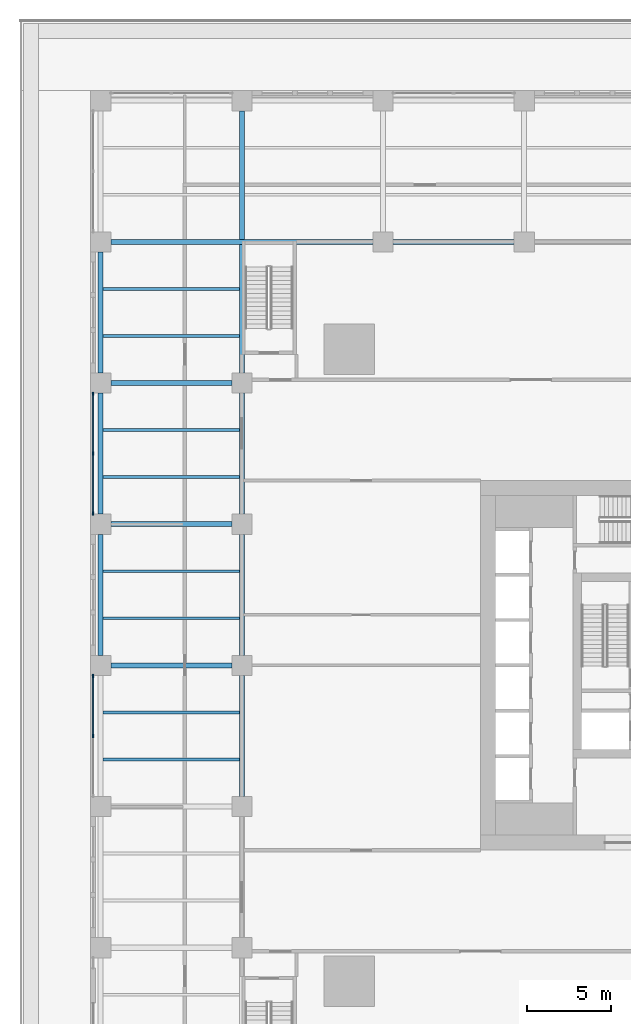
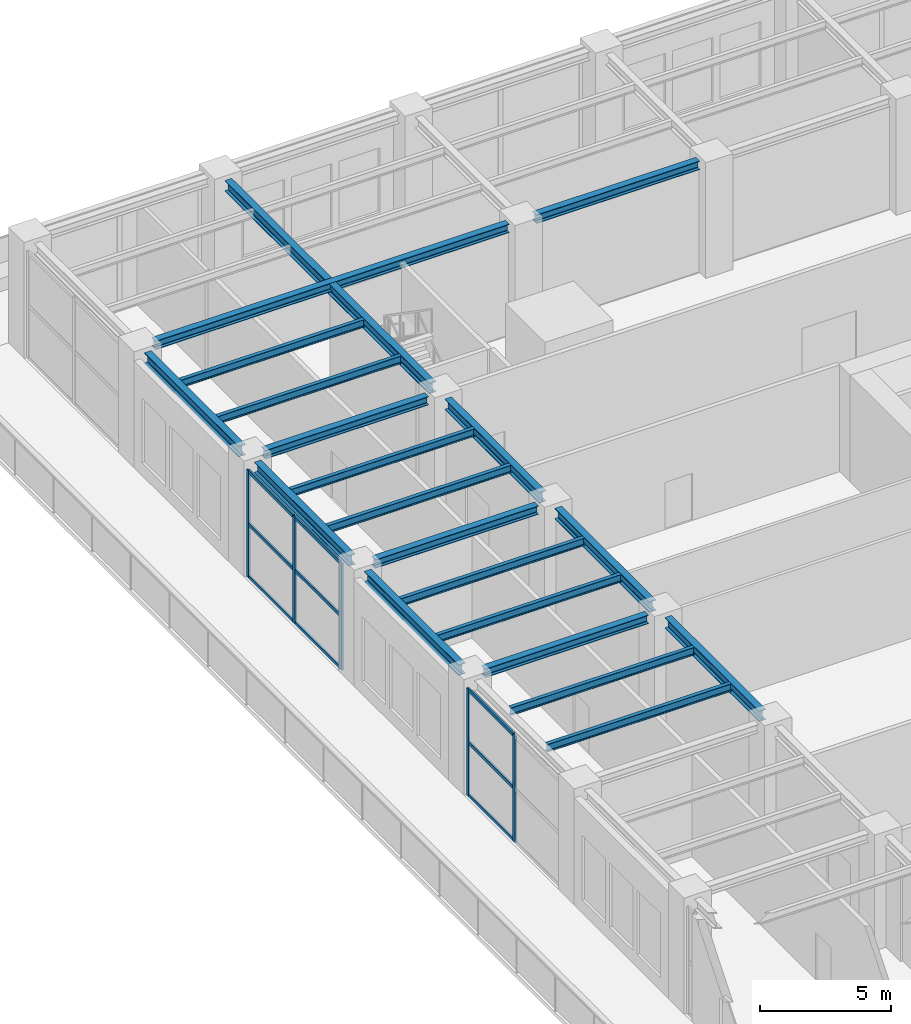
# One storey, part 5 of 36: 20 beams, 14 members, 2 elements without a shape of their own.
"""IFC4 building model written with IfcOpenShell, lengths in metres."""

from ifc_helpers import new_model, si_unit, direction, frame, origin, origin_2d, place, context, subcontext, project, spatial, rectangle, i_section, extrude, material, material_profile, profile_set, type_object, element, aggregate, save


model = new_model("IFC4")

# Units and contexts
model_context = context("Model", 3, precision=1e-05, world=origin(), true_north=direction((0.0, 1.0)))
body_context = subcontext(model_context, "Body", "Model", "MODEL_VIEW")
ifc_project = project(units=[si_unit("LENGTHUNIT", "METRE"), si_unit("AREAUNIT", "SQUARE_METRE"), si_unit("VOLUMEUNIT", "CUBIC_METRE"), si_unit("PLANEANGLEUNIT", "RADIAN"), si_unit("MASSUNIT", "GRAM", prefix="KILO")], contexts=[model_context])

# Site, building, storey
site_placement = place(None, origin())
site = spatial("IfcSite", under=ifc_project, at=site_placement, CompositionType="ELEMENT")
building_placement = place(site_placement, origin())
building = spatial("IfcBuilding", under=site, at=building_placement, Name="Khepri Terraces", CompositionType="ELEMENT")
storey_placement = place(building_placement, frame((0.0, 0.0, 16.800048828125)))
storey = spatial("IfcBuildingStorey", under=building, at=storey_placement, Name="L03", CompositionType="ELEMENT", Elevation=16.800048828125)

# Curtain wall, members
ifc_material_1 = material(Name="Anodised aluminium bronze curtain wall", Category="aluminium")
curtain_wall_type = type_object("IfcCurtainWallType", Name="CW-SYS5-BALLROOM", PredefinedType="NOTDEFINED", material=ifc_material_1)
curtain_wall_1_placement = place(storey_placement, origin())
curtain_wall_1 = element("IfcCurtainWall", 1, at=curtain_wall_1_placement, inside=storey, type_object=curtain_wall_type, Name="Curtain wall CW5 L03 W", PredefinedType="NOTDEFINED")
ifc_material_2 = material(Name="Anodised aluminium bronze", Category="aluminium")
ifc_material_profile_1 = material_profile(ifc_material_2, rectangle(XDim=0.080078125, YDim=0.199951171875, at=origin_2d()), Name="Anodised aluminium bronze", Category="aluminium")
ifc_profile_set_1 = profile_set([ifc_material_profile_1], Name="Anodised aluminium bronze")
member_type_1 = type_object("IfcMemberType", Name="CW-MULLION-80x200", PredefinedType="MULLION", material=ifc_profile_set_1)
member_1_placement = place(storey_placement, frame((-34.050048828125, 16.159912109375, 0.0), z_axis=(0.0, 0.0, 1.0), x_axis=(1.0, 0.0, 0.0)))
member_1 = element("IfcMember", 2, at=member_1_placement, type_object=member_type_1, Name="CW5 mullion 1", PredefinedType="MULLION", context=body_context, shape_type="SweptSolid", body=[
    extrude(rectangle(XDim=0.080078125, YDim=0.199951171875, at=origin_2d()), origin(), (0.0, 0.0, 1.0), 4.97998046875),
])
member_2_placement = place(storey_placement, frame((-34.050048828125, 12.60009765625, 0.0), z_axis=(0.0, 0.0, 1.0), x_axis=(1.0, 0.0, 0.0)))
member_2 = element("IfcMember", 3, at=member_2_placement, type_object=member_type_1, Name="CW5 mullion 2", PredefinedType="MULLION", context=body_context, shape_type="SweptSolid", body=[
    extrude(rectangle(XDim=0.080078125, YDim=0.199951171875, at=origin_2d()), origin(), (0.0, 0.0, 1.0), 4.97998046875),
])
member_3_placement = place(storey_placement, frame((-34.050048828125, 9.0400390625, 0.0), z_axis=(0.0, 0.0, 1.0), x_axis=(1.0, 0.0, 0.0)))
member_3 = element("IfcMember", 4, at=member_3_placement, type_object=member_type_1, Name="CW5 mullion 3", PredefinedType="MULLION", context=body_context, shape_type="SweptSolid", body=[
    extrude(rectangle(XDim=0.080078125, YDim=0.199951171875, at=origin_2d()), origin(), (0.0, 0.0, 1.0), 4.97998046875),
])

curtain_wall_2_placement = place(storey_placement, origin())
curtain_wall_2 = element("IfcCurtainWall", 5, at=curtain_wall_2_placement, inside=storey, type_object=curtain_wall_type, Name="Curtain wall CW5 L03 W", PredefinedType="NOTDEFINED")
member_4_placement = place(storey_placement, frame((-34.050048828125, -0.639892578125, 0.0), z_axis=(0.0, 0.0, 1.0), x_axis=(1.0, 0.0, 0.0)))
member_4 = element("IfcMember", 6, at=member_4_placement, type_object=member_type_1, Name="CW5 mullion 1", PredefinedType="MULLION", context=body_context, shape_type="SweptSolid", body=[
    extrude(rectangle(XDim=0.080078125, YDim=0.199951171875, at=origin_2d()), origin(), (0.0, 0.0, 1.0), 4.97998046875),
])
member_5_placement = place(storey_placement, frame((-34.050048828125, -4.199951171875, 0.0), z_axis=(0.0, 0.0, 1.0), x_axis=(1.0, 0.0, 0.0)))
member_5 = element("IfcMember", 7, at=member_5_placement, type_object=member_type_1, Name="CW5 mullion 2", PredefinedType="MULLION", context=body_context, shape_type="SweptSolid", body=[
    extrude(rectangle(XDim=0.080078125, YDim=0.199951171875, at=origin_2d()), origin(), (0.0, 0.0, 1.0), 4.97998046875),
])

# Member
ifc_material_profile_2 = material_profile(ifc_material_2, rectangle(XDim=0.080078125, YDim=0.159912109375, at=origin_2d()), Name="Anodised aluminium bronze", Category="aluminium")
ifc_profile_set_2 = profile_set([ifc_material_profile_2], Name="Anodised aluminium bronze")
member_type_2 = type_object("IfcMemberType", Name="CW-TRANSOM-80x160", PredefinedType="USERDEFINED", material=ifc_profile_set_2)
member_6_placement = place(storey_placement, frame((-34.050048828125, 16.1201171875, 0.0400390625), z_axis=(0.0, -1.0, 0.0), x_axis=(1.0, 0.0, 0.0)))
member_6 = element("IfcMember", 8, at=member_6_placement, type_object=member_type_2, Name="CW5 transom 1.1", ObjectType="TRANSOM", PredefinedType="USERDEFINED", context=body_context, shape_type="SweptSolid", body=[
    extrude(rectangle(XDim=0.080078125, YDim=0.159912109375, at=origin_2d()), origin(), (0.0, 0.0, 1.0), 3.480224609375),
])

member_7_placement = place(storey_placement, frame((-34.050048828125, 16.1201171875, 2.489990234375), z_axis=(0.0, -1.0, 0.0), x_axis=(1.0, 0.0, 0.0)))
member_7 = element("IfcMember", 9, at=member_7_placement, type_object=member_type_2, Name="CW5 transom 1.2", ObjectType="TRANSOM", PredefinedType="USERDEFINED", context=body_context, shape_type="SweptSolid", body=[
    extrude(rectangle(XDim=0.080078125, YDim=0.159912109375, at=origin_2d()), origin(), (0.0, 0.0, 1.0), 3.480224609375),
])

member_8_placement = place(storey_placement, frame((-34.050048828125, 16.1201171875, 4.93994140625), z_axis=(0.0, -1.0, 0.0), x_axis=(1.0, 0.0, 0.0)))
member_8 = element("IfcMember", 10, at=member_8_placement, type_object=member_type_2, Name="CW5 transom 1.3", ObjectType="TRANSOM", PredefinedType="USERDEFINED", context=body_context, shape_type="SweptSolid", body=[
    extrude(rectangle(XDim=0.080078125, YDim=0.159912109375, at=origin_2d()), origin(), (0.0, 0.0, 1.0), 3.480224609375),
])

member_9_placement = place(storey_placement, frame((-34.050048828125, 12.56005859375, 0.0400390625), z_axis=(0.0, -1.0, 0.0), x_axis=(1.0, 0.0, 0.0)))
member_9 = element("IfcMember", 11, at=member_9_placement, type_object=member_type_2, Name="CW5 transom 2.1", ObjectType="TRANSOM", PredefinedType="USERDEFINED", context=body_context, shape_type="SweptSolid", body=[
    extrude(rectangle(XDim=0.080078125, YDim=0.159912109375, at=origin_2d()), origin(), (0.0, 0.0, 1.0), 3.47998046875),
])

member_10_placement = place(storey_placement, frame((-34.050048828125, 12.56005859375, 2.489990234375), z_axis=(0.0, -1.0, 0.0), x_axis=(1.0, 0.0, 0.0)))
member_10 = element("IfcMember", 12, at=member_10_placement, type_object=member_type_2, Name="CW5 transom 2.2", ObjectType="TRANSOM", PredefinedType="USERDEFINED", context=body_context, shape_type="SweptSolid", body=[
    extrude(rectangle(XDim=0.080078125, YDim=0.159912109375, at=origin_2d()), origin(), (0.0, 0.0, 1.0), 3.47998046875),
])

member_11_placement = place(storey_placement, frame((-34.050048828125, 12.56005859375, 4.93994140625), z_axis=(0.0, -1.0, 0.0), x_axis=(1.0, 0.0, 0.0)))
member_11 = element("IfcMember", 13, at=member_11_placement, type_object=member_type_2, Name="CW5 transom 2.3", ObjectType="TRANSOM", PredefinedType="USERDEFINED", context=body_context, shape_type="SweptSolid", body=[
    extrude(rectangle(XDim=0.080078125, YDim=0.159912109375, at=origin_2d()), origin(), (0.0, 0.0, 1.0), 3.47998046875),
])

aggregate(curtain_wall_1, [member_1, member_2, member_3, member_6, member_7, member_8, member_9, member_10, member_11])

member_12_placement = place(storey_placement, frame((-34.050048828125, -0.679931640625, 0.0400390625), z_axis=(0.0, -1.0, 0.0), x_axis=(1.0, 0.0, 0.0)))
member_12 = element("IfcMember", 14, at=member_12_placement, type_object=member_type_2, Name="CW5 transom 1.1", ObjectType="TRANSOM", PredefinedType="USERDEFINED", context=body_context, shape_type="SweptSolid", body=[
    extrude(rectangle(XDim=0.080078125, YDim=0.159912109375, at=origin_2d()), origin(), (0.0, 0.0, 1.0), 3.47998046875),
])

member_13_placement = place(storey_placement, frame((-34.050048828125, -0.679931640625, 2.489990234375), z_axis=(0.0, -1.0, 0.0), x_axis=(1.0, 0.0, 0.0)))
member_13 = element("IfcMember", 15, at=member_13_placement, type_object=member_type_2, Name="CW5 transom 1.2", ObjectType="TRANSOM", PredefinedType="USERDEFINED", context=body_context, shape_type="SweptSolid", body=[
    extrude(rectangle(XDim=0.080078125, YDim=0.159912109375, at=origin_2d()), origin(), (0.0, 0.0, 1.0), 3.47998046875),
])

member_14_placement = place(storey_placement, frame((-34.050048828125, -0.679931640625, 4.93994140625), z_axis=(0.0, -1.0, 0.0), x_axis=(1.0, 0.0, 0.0)))
member_14 = element("IfcMember", 16, at=member_14_placement, type_object=member_type_2, Name="CW5 transom 1.3", ObjectType="TRANSOM", PredefinedType="USERDEFINED", context=body_context, shape_type="SweptSolid", body=[
    extrude(rectangle(XDim=0.080078125, YDim=0.159912109375, at=origin_2d()), origin(), (0.0, 0.0, 1.0), 3.47998046875),
])

aggregate(curtain_wall_2, [member_4, member_5, member_12, member_13, member_14])

# Beams
ifc_material_3 = material(Name="Steel S355", Category="steel")
ifc_material_profile_3 = material_profile(ifc_material_3, i_section(OverallWidth=0.300048828125, OverallDepth=0.5, WebThickness=0.014404296875, FlangeThickness=0.028076171875, FilletRadius=0.027099609375, at=origin_2d()), Name="Steel S355", Category="steel")
ifc_profile_set_3 = profile_set([ifc_material_profile_3], Name="Steel S355")
beam_type_1 = type_object("IfcBeamType", Name="Podium girder L04 HEB 500", PredefinedType="BEAM", material=ifc_profile_set_3)
for number, where, z_axis, x_axis, name in (
    (17, (-33.60009765625, 0.60009765625, 4.949951171875), (0.0, 1.0, 0.0), (-1.0, 0.0, 0.0), "Podium girder L04 005"),
    (18, (-33.60009765625, 9.0, 4.949951171875), (0.0, 1.0, 0.0), (-1.0, 0.0, 0.0), "Podium girder L04 006"),
):
    element("IfcBeam", number, at=place(storey_placement, frame(where, z_axis=z_axis, x_axis=x_axis)), inside=storey, type_object=beam_type_1, Name=name, PredefinedType="BEAM", context=body_context, shape_type="SweptSolid", body=[
        extrude(i_section(OverallWidth=0.300048828125, OverallDepth=0.5, WebThickness=0.014404296875, FlangeThickness=0.028076171875, FilletRadius=0.027099609375, at=origin_2d()), origin(), (0.0, 0.0, 1.0), 7.199951171875),
    ])
beam_1_placement = place(storey_placement, frame((-33.60009765625, 17.39990234375, 4.949951171875), z_axis=(0.0, 1.0, 0.0), x_axis=(-1.0, 0.0, 0.0)))
element("IfcBeam", 19, at=beam_1_placement, inside=storey, type_object=beam_type_1, Name="Podium girder L04 007", PredefinedType="BEAM", context=body_context, shape_type="SweptSolid", body=[
    extrude(i_section(OverallWidth=0.300048828125, OverallDepth=0.5, WebThickness=0.014404296875, FlangeThickness=0.028076171875, FilletRadius=0.027099609375, at=origin_2d()), origin(), (0.0, 0.0, 1.0), 7.2001953125),
])
beam_2_placement = place(storey_placement, frame((-25.199951171875, 17.39990234375, 4.949951171875), z_axis=(0.0, 1.0, 0.0), x_axis=(-1.0, 0.0, 0.0)))
element("IfcBeam", 20, at=beam_2_placement, inside=storey, type_object=beam_type_1, Name="Podium girder L04 014", PredefinedType="BEAM", context=body_context, shape_type="SweptSolid", body=[
    extrude(i_section(OverallWidth=0.300048828125, OverallDepth=0.5, WebThickness=0.014404296875, FlangeThickness=0.028076171875, FilletRadius=0.027099609375, at=origin_2d()), origin(), (0.0, 0.0, 1.0), 15.60009765625),
])
ifc_material_profile_4 = material_profile(ifc_material_3, i_section(OverallWidth=0.300048828125, OverallDepth=0.39990234375, WebThickness=0.013427734375, FlangeThickness=0.02392578125, FilletRadius=0.027099609375, at=origin_2d()), Name="Steel S355", Category="steel")
ifc_profile_set_4 = profile_set([ifc_material_profile_4], Name="Steel S355")
beam_type_2 = type_object("IfcBeamType", Name="Podium girder L04 grid line HEB 400", PredefinedType="BEAM", material=ifc_profile_set_4)
for number, where, z_axis, x_axis, name in (
    (21, (-33.0, 0.0, 5.0), (1.0, 0.0, 0.0), (0.0, 1.0, 0.0), "Podium grid-line girder L04 047"),
    (22, (-33.0, 8.39990234375, 5.0), (1.0, 0.0, 0.0), (0.0, 1.0, 0.0), "Podium grid-line girder L04 053"),
    (23, (-33.0, 16.800048828125, 5.0), (1.0, 0.0, 0.0), (0.0, 1.0, 0.0), "Podium grid-line girder L04 059"),
):
    element("IfcBeam", number, at=place(storey_placement, frame(where, z_axis=z_axis, x_axis=x_axis)), inside=storey, type_object=beam_type_2, Name=name, PredefinedType="BEAM", context=body_context, shape_type="SweptSolid", body=[
        extrude(i_section(OverallWidth=0.300048828125, OverallDepth=0.39990234375, WebThickness=0.013427734375, FlangeThickness=0.02392578125, FilletRadius=0.027099609375, at=origin_2d()), origin(), (0.0, 0.0, 1.0), 7.199951171875),
    ])
beam_3_placement = place(storey_placement, frame((-33.0, 25.199951171875, 5.0), z_axis=(1.0, 0.0, 0.0), x_axis=(0.0, 1.0, 0.0)))
element("IfcBeam", 24, at=beam_3_placement, inside=storey, type_object=beam_type_2, Name="Podium grid-line girder L04 065", PredefinedType="BEAM", context=body_context, shape_type="SweptSolid", body=[
    extrude(i_section(OverallWidth=0.300048828125, OverallDepth=0.39990234375, WebThickness=0.013427734375, FlangeThickness=0.02392578125, FilletRadius=0.027099609375, at=origin_2d()), origin(), (0.0, 0.0, 1.0), 15.60009765625),
])
beam_4_placement = place(storey_placement, frame((-16.199951171875, 25.199951171875, 5.0), z_axis=(1.0, 0.0, 0.0), x_axis=(0.0, 1.0, 0.0)))
element("IfcBeam", 25, at=beam_4_placement, inside=storey, type_object=beam_type_2, Name="Podium grid-line girder L04 066", PredefinedType="BEAM", context=body_context, shape_type="SweptSolid", body=[
    extrude(i_section(OverallWidth=0.300048828125, OverallDepth=0.39990234375, WebThickness=0.013427734375, FlangeThickness=0.02392578125, FilletRadius=0.027099609375, at=origin_2d()), origin(), (0.0, 0.0, 1.0), 7.199951171875),
])
ifc_material_profile_5 = material_profile(ifc_material_3, i_section(OverallWidth=0.169921875, OverallDepth=0.360107421875, WebThickness=0.008056640625, FlangeThickness=0.0126953125, FilletRadius=0.01806640625, at=origin_2d()), Name="Steel S355", Category="steel")
ifc_profile_set_5 = profile_set([ifc_material_profile_5], Name="Steel S355")
beam_type_3 = type_object("IfcBeamType", Name="Podium joist L04 IPE 360", PredefinedType="JOIST", material=ifc_profile_set_5)
for number, where, z_axis, x_axis, name in (
    (26, (-33.449951171875, -5.60009765625, 5.02001953125), (1.0, 0.0, 0.0), (0.0, 1.0, 0.0), "Podium joist L04 043"),
    (27, (-33.449951171875, -2.800048828125, 5.02001953125), (1.0, 0.0, 0.0), (0.0, 1.0, 0.0), "Podium joist L04 045"),
    (28, (-33.449951171875, 2.800048828125, 5.02001953125), (1.0, 0.0, 0.0), (0.0, 1.0, 0.0), "Podium joist L04 049"),
    (29, (-33.449951171875, 5.60009765625, 5.02001953125), (1.0, 0.0, 0.0), (0.0, 1.0, 0.0), "Podium joist L04 051"),
    (30, (-33.449951171875, 11.199951171875, 5.02001953125), (1.0, 0.0, 0.0), (0.0, 1.0, 0.0), "Podium joist L04 055"),
    (31, (-33.449951171875, 14.0, 5.02001953125), (1.0, 0.0, 0.0), (0.0, 1.0, 0.0), "Podium joist L04 057"),
    (32, (-33.449951171875, 19.60009765625, 5.02001953125), (1.0, 0.0, 0.0), (0.0, 1.0, 0.0), "Podium joist L04 061"),
    (33, (-33.449951171875, 22.39990234375, 5.02001953125), (1.0, 0.0, 0.0), (0.0, 1.0, 0.0), "Podium joist L04 063"),
):
    element("IfcBeam", number, at=place(storey_placement, frame(where, z_axis=z_axis, x_axis=x_axis)), inside=storey, type_object=beam_type_3, Name=name, PredefinedType="JOIST", context=body_context, shape_type="SweptSolid", body=[
        extrude(i_section(OverallWidth=0.169921875, OverallDepth=0.360107421875, WebThickness=0.008056640625, FlangeThickness=0.0126953125, FilletRadius=0.01806640625, at=origin_2d()), origin(), (0.0, 0.0, 1.0), 8.099853515625),
    ])
ifc_material_profile_6 = material_profile(ifc_material_3, i_section(OverallWidth=0.300048828125, OverallDepth=0.5, WebThickness=0.014404296875, FlangeThickness=0.028076171875, FilletRadius=0.027099609375, at=origin_2d()), Name="Steel S355", Category="steel")
ifc_profile_set_6 = profile_set([ifc_material_profile_6], Name="Steel S355")
beam_type_4 = type_object("IfcBeamType", Name="Tower ring beam HEB 500", PredefinedType="BEAM", material=ifc_profile_set_6)
for number, where, z_axis, x_axis, name in (
    (34, (-25.199951171875, -7.800048828125, 4.949951171875), (0.0, 1.0, 0.0), (-1.0, 0.0, 0.0), "Ring beam L04 011"),
    (35, (-25.199951171875, 0.60009765625, 4.949951171875), (0.0, 1.0, 0.0), (-1.0, 0.0, 0.0), "Ring beam L04 012"),
    (36, (-25.199951171875, 9.0, 4.949951171875), (0.0, 1.0, 0.0), (-1.0, 0.0, 0.0), "Ring beam L04 013"),
):
    element("IfcBeam", number, at=place(storey_placement, frame(where, z_axis=z_axis, x_axis=x_axis)), inside=storey, type_object=beam_type_4, Name=name, PredefinedType="BEAM", context=body_context, shape_type="SweptSolid", body=[
        extrude(i_section(OverallWidth=0.300048828125, OverallDepth=0.5, WebThickness=0.014404296875, FlangeThickness=0.028076171875, FilletRadius=0.027099609375, at=origin_2d()), origin(), (0.0, 0.0, 1.0), 7.199951171875),
    ])

save(model, "model.ifc")
